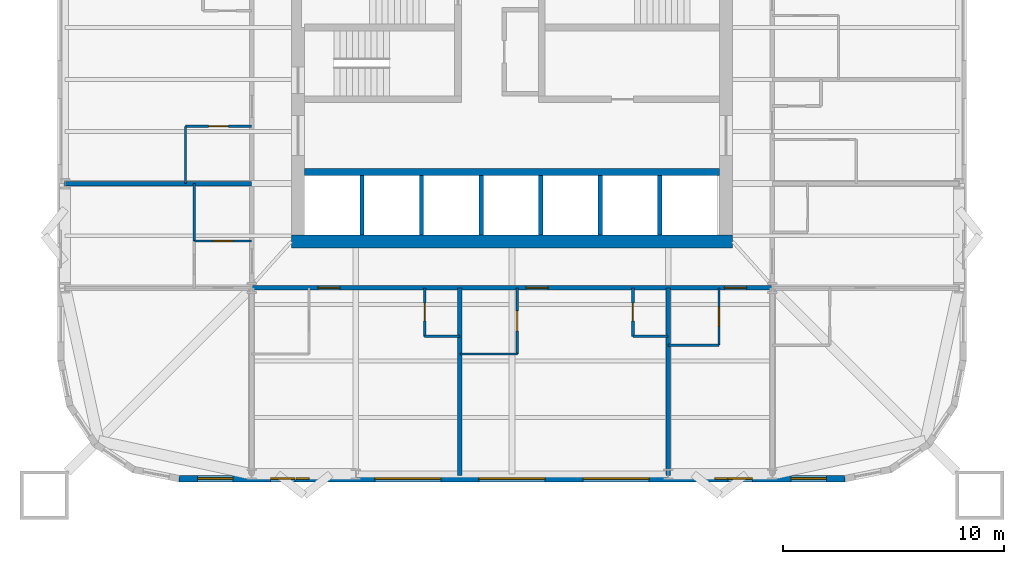
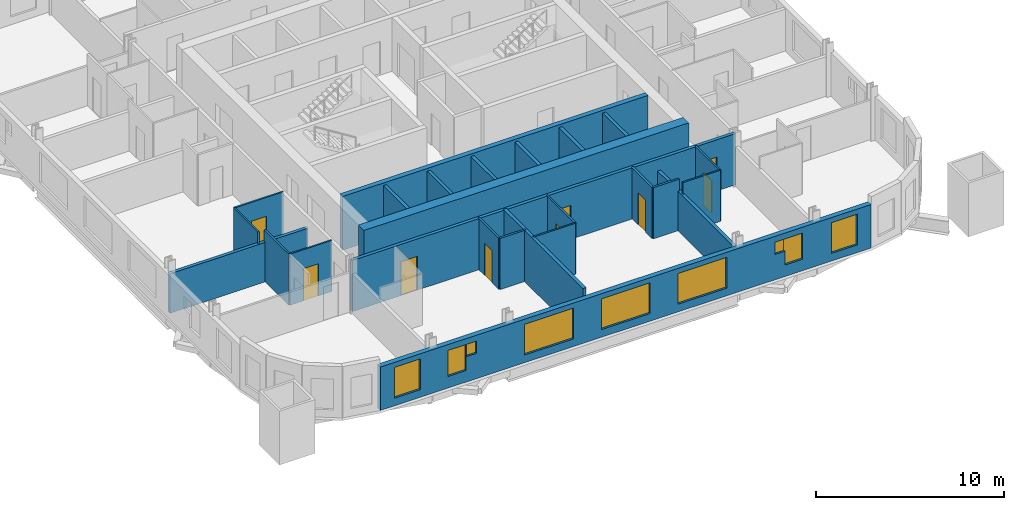
# One storey, part 3 of 9: 25 walls, 9 doors, 9 windows, 18 openings.
"""IFC4 building model written with IfcOpenShell, lengths in metres."""

from ifc_helpers import new_model, si_unit, direction, frame, frame_2d, origin, place, context, subcontext, project, spatial, rectangle, extrude, material, layer, layer_set, type_object, element, fill, save


model = new_model("IFC4")

# Units and contexts
model_context = context("Model", 3, precision=1e-05, world=origin(), true_north=direction((0.0, 1.0)))
body_context = subcontext(model_context, "Body", "Model", "MODEL_VIEW")
ifc_project = project(units=[si_unit("LENGTHUNIT", "METRE"), si_unit("AREAUNIT", "SQUARE_METRE"), si_unit("VOLUMEUNIT", "CUBIC_METRE"), si_unit("PLANEANGLEUNIT", "RADIAN"), si_unit("MASSUNIT", "GRAM", prefix="KILO")], contexts=[model_context])

# Site, building, storey
site_placement = place(None, origin())
site = spatial("IfcSite", under=ifc_project, at=site_placement, CompositionType="ELEMENT")
building_placement = place(site_placement, origin())
building = spatial("IfcBuilding", under=site, at=building_placement, Name="Turquesa Mirador Hotel Tower", CompositionType="ELEMENT")
storey_placement = place(building_placement, frame((0.0, 0.0, 110.89990234375)))
storey = spatial("IfcBuildingStorey", under=building, at=storey_placement, Name="L29", CompositionType="ELEMENT", Elevation=110.89990234375)

# Walls
ifc_material_1 = material(Name="Gypsum board on steel studs", Category="steel")
ifc_layer_1 = layer(ifc_material_1, 0.10009765625)
ifc_layer_set_1 = layer_set([ifc_layer_1], Name="BATHROOM WALL 100")
wall_type_1 = type_object("IfcWallType", Name="BATHROOM WALL 100", PredefinedType="PARTITIONING", material=ifc_layer_set_1)
wall_1_placement = place(storey_placement, frame((62.080078125, 30.60009765625, 0.0), z_axis=(0.0, 0.0, 1.0), x_axis=(1.0, 0.0, 0.0)))
element("IfcWall", 1, at=wall_1_placement, inside=storey, type_object=wall_type_1, Name="Partition L29 007", PredefinedType="PARTITIONING", context=body_context, shape_type="SweptSolid", body=[
    extrude(rectangle(XDim=2.2998046875, YDim=0.10009765625, at=frame_2d((1.14990234375, 0.0))), origin(), (0.0, 0.0, 1.0), 3.330078125),
])
wall_2_placement = place(storey_placement, frame((52.639892578125, 30.199951171875, 0.0), z_axis=(0.0, 0.0, 1.0), x_axis=(1.0, 0.0, 0.0)))
element("IfcWall", 2, at=wall_2_placement, inside=storey, type_object=wall_type_1, Name="Partition L29 010", PredefinedType="PARTITIONING", context=body_context, shape_type="SweptSolid", body=[
    extrude(rectangle(XDim=2.60009765625, YDim=0.10009765625, at=frame_2d((1.300048828125, 0.0))), origin(), (0.0, 0.0, 1.0), 3.330078125),
])

# Wall, opening, door
wall_3_placement = place(storey_placement, frame((40.199951171875, 40.52001953125, 0.0), z_axis=(0.0, 0.0, 1.0), x_axis=(1.0, 0.0, 0.0)))
wall_3 = element("IfcWall", 3, at=wall_3_placement, inside=storey, type_object=wall_type_1, Name="Partition L29 013", PredefinedType="PARTITIONING", context=body_context, shape_type="SweptSolid", body=[
    extrude(rectangle(XDim=3.0, YDim=0.10009765625, at=frame_2d((1.5, 0.0))), origin(), (0.0, 0.0, 1.0), 3.330078125),
])
opening_1_placement = place(wall_3_placement, frame((1.050048828125, 0.0, 0.0)))
opening_1 = element("IfcOpeningElement", 4, at=opening_1_placement, cuts=wall_3, Name="Opening D02", PredefinedType="OPENING", context=body_context, shape_type="SweptSolid", body=[
    extrude(rectangle(XDim=0.89990234375, YDim=2.10009765625, at=frame_2d((0.449951171875, 1.050048828125))), frame((0.0, 0.06005859375, 0.0), z_axis=(0.0, -1.0, 0.0), x_axis=(1.0, 0.0, 0.0)), (0.0, 0.0, 1.0), 0.1201171875),
])
ifc_material_2 = material(Name="Timber veneered door", Category="wood")
door_type_1 = type_object("IfcDoorType", Name="DOOR 900X2100 EN-SUITE", OperationType="SINGLE_SWING_RIGHT", PredefinedType="DOOR", material=ifc_material_2)
door_1_placement = place(opening_1_placement, origin())
door_1 = element("IfcDoor", 5, at=door_1_placement, inside=storey, type_object=door_type_1, Name="Door 2911B", OperationType="SINGLE_SWING_RIGHT", OverallHeight=2.10009765625, OverallWidth=0.89990234375, PredefinedType="DOOR", context=body_context, shape_type="SweptSolid", body=[
    extrude(rectangle(XDim=0.89990234375, YDim=2.10009765625, at=frame_2d((0.449951171875, 1.050048828125))), frame((0.0, 0.02490234375, 0.0), z_axis=(0.0, -1.0, 0.0), x_axis=(1.0, 0.0, 0.0)), (0.0, 0.0, 1.0), 0.050048828125),
])
fill(opening_1, door_1)

wall_4_placement = place(storey_placement, frame((40.60009765625, 35.320068359375, 0.0), z_axis=(0.0, 0.0, 1.0), x_axis=(1.0, 0.0, 0.0)))
wall_4 = element("IfcWall", 6, at=wall_4_placement, inside=storey, type_object=wall_type_1, Name="Partition L29 018", PredefinedType="PARTITIONING", context=body_context, shape_type="SweptSolid", body=[
    extrude(rectangle(XDim=2.599853515625, YDim=0.10009765625, at=frame_2d((1.2998046875, 0.0))), origin(), (0.0, 0.0, 1.0), 3.330078125),
])
opening_2_placement = place(wall_4_placement, frame((0.85009765625, 0.0, 0.0)))
opening_2 = element("IfcOpeningElement", 7, at=opening_2_placement, cuts=wall_4, Name="Opening D02", PredefinedType="OPENING", context=body_context, shape_type="SweptSolid", body=[
    extrude(rectangle(XDim=0.89990234375, YDim=2.10009765625, at=frame_2d((0.449951171875, 1.050048828125))), frame((0.0, 0.06005859375, 0.0), z_axis=(0.0, -1.0, 0.0), x_axis=(1.0, 0.0, 0.0)), (0.0, 0.0, 1.0), 0.1201171875),
])
door_2_placement = place(opening_2_placement, origin())
door_2 = element("IfcDoor", 8, at=door_2_placement, inside=storey, type_object=door_type_1, Name="Door 2915B", OperationType="SINGLE_SWING_RIGHT", OverallHeight=2.10009765625, OverallWidth=0.89990234375, PredefinedType="DOOR", context=body_context, shape_type="SweptSolid", body=[
    extrude(rectangle(XDim=0.89990234375, YDim=2.10009765625, at=frame_2d((0.449951171875, 1.050048828125))), frame((0.0, 0.02490234375, 0.0), z_axis=(0.0, -1.0, 0.0), x_axis=(1.0, 0.0, 0.0)), (0.0, 0.0, 1.0), 0.050048828125),
])
fill(opening_2, door_2)

# Walls
wall_5_placement = place(storey_placement, frame((40.60009765625, 35.320068359375, 0.0), z_axis=(0.0, 0.0, 1.0), x_axis=(0.0, 1.0, 0.0)))
element("IfcWall", 9, at=wall_5_placement, inside=storey, type_object=wall_type_1, Name="Partition L29 046", PredefinedType="PARTITIONING", context=body_context, shape_type="SweptSolid", body=[
    extrude(rectangle(XDim=2.599853515625, YDim=0.10009765625, at=frame_2d((1.2998046875, 0.0))), origin(), (0.0, 0.0, 1.0), 3.330078125),
])
wall_6_placement = place(storey_placement, frame((40.199951171875, 37.919921875, 0.0), z_axis=(0.0, 0.0, 1.0), x_axis=(0.0, 1.0, 0.0)))
element("IfcWall", 10, at=wall_6_placement, inside=storey, type_object=wall_type_1, Name="Partition L29 051", PredefinedType="PARTITIONING", context=body_context, shape_type="SweptSolid", body=[
    extrude(rectangle(XDim=2.60009765625, YDim=0.10009765625, at=frame_2d((1.300048828125, 0.0))), origin(), (0.0, 0.0, 1.0), 3.330078125),
])

# Wall, opening, door
wall_7_placement = place(storey_placement, frame((55.239990234375, 30.199951171875, 0.0), z_axis=(0.0, 0.0, 1.0), x_axis=(0.0, 1.0, 0.0)))
wall_7 = element("IfcWall", 11, at=wall_7_placement, inside=storey, type_object=wall_type_1, Name="Partition L29 058", PredefinedType="PARTITIONING", context=body_context, shape_type="SweptSolid", body=[
    extrude(rectangle(XDim=3.0, YDim=0.10009765625, at=frame_2d((1.5, 0.0))), origin(), (0.0, 0.0, 1.0), 3.330078125),
])
opening_3_placement = place(wall_7_placement, frame((1.050048828125, 0.0, 0.0)))
opening_3 = element("IfcOpeningElement", 12, at=opening_3_placement, cuts=wall_7, Name="Opening D02", PredefinedType="OPENING", context=body_context, shape_type="SweptSolid", body=[
    extrude(rectangle(XDim=0.89990234375, YDim=2.10009765625, at=frame_2d((0.449951171875, 1.050048828125))), frame((0.0, 0.06005859375, 0.0), z_axis=(0.0, -1.0, 0.0), x_axis=(1.0, 0.0, 0.0)), (0.0, 0.0, 1.0), 0.1201171875),
])
door_3_placement = place(opening_3_placement, origin())
door_3 = element("IfcDoor", 13, at=door_3_placement, inside=storey, type_object=door_type_1, Name="Door 2906B", OperationType="SINGLE_SWING_RIGHT", OverallHeight=2.10009765625, OverallWidth=0.89990234375, PredefinedType="DOOR", context=body_context, shape_type="SweptSolid", body=[
    extrude(rectangle(XDim=0.89990234375, YDim=2.10009765625, at=frame_2d((0.449951171875, 1.050048828125))), frame((0.0, 0.02490234375, 0.0), z_axis=(0.0, -1.0, 0.0), x_axis=(1.0, 0.0, 0.0)), (0.0, 0.0, 1.0), 0.050048828125),
])
fill(opening_3, door_3)

wall_8_placement = place(storey_placement, frame((64.3798828125, 30.60009765625, 0.0), z_axis=(0.0, 0.0, 1.0), x_axis=(0.0, 1.0, 0.0)))
wall_8 = element("IfcWall", 14, at=wall_8_placement, inside=storey, type_object=wall_type_1, Name="Partition L29 078", PredefinedType="PARTITIONING", context=body_context, shape_type="SweptSolid", body=[
    extrude(rectangle(XDim=2.599853515625, YDim=0.10009765625, at=frame_2d((1.2998046875, 0.0))), origin(), (0.0, 0.0, 1.0), 3.330078125),
])
opening_4_placement = place(wall_8_placement, frame((0.85009765625, 0.0, 0.0)))
opening_4 = element("IfcOpeningElement", 15, at=opening_4_placement, cuts=wall_8, Name="Opening D02", PredefinedType="OPENING", context=body_context, shape_type="SweptSolid", body=[
    extrude(rectangle(XDim=0.89990234375, YDim=2.10009765625, at=frame_2d((0.449951171875, 1.050048828125))), frame((0.0, 0.06005859375, 0.0), z_axis=(0.0, -1.0, 0.0), x_axis=(1.0, 0.0, 0.0)), (0.0, 0.0, 1.0), 0.1201171875),
])
door_4_placement = place(opening_4_placement, origin())
door_4 = element("IfcDoor", 16, at=door_4_placement, inside=storey, type_object=door_type_1, Name="Door 2907B", OperationType="SINGLE_SWING_RIGHT", OverallHeight=2.10009765625, OverallWidth=0.89990234375, PredefinedType="DOOR", context=body_context, shape_type="SweptSolid", body=[
    extrude(rectangle(XDim=0.89990234375, YDim=2.10009765625, at=frame_2d((0.449951171875, 1.050048828125))), frame((0.0, 0.02490234375, 0.0), z_axis=(0.0, -1.0, 0.0), x_axis=(1.0, 0.0, 0.0)), (0.0, 0.0, 1.0), 0.050048828125),
])
fill(opening_4, door_4)

# Walls
ifc_material_3 = material(Name="Concrete C50/60", Category="concrete")
ifc_layer_2 = layer(ifc_material_3, 0.300048828125)
ifc_layer_set_2 = layer_set([ifc_layer_2], Name="CORE INNER WALL 300")
wall_type_2 = type_object("IfcWallType", Name="CORE INNER WALL 300", PredefinedType="SHEAR", material=ifc_layer_set_2)
wall_9_placement = place(storey_placement, frame((45.60009765625, 38.449951171875, 0.0), z_axis=(0.0, 0.0, 1.0), x_axis=(1.0, 0.0, 0.0)))
element("IfcWall", 17, at=wall_9_placement, inside=storey, type_object=wall_type_2, Name="Core wall SL", PredefinedType="SHEAR", context=body_context, shape_type="SweptSolid", body=[
    extrude(rectangle(XDim=18.7998046875, YDim=0.300048828125, at=frame_2d((9.39990234375, 0.0))), origin(), (0.0, 0.0, 1.0), 3.5),
])
ifc_material_4 = material(Name="Concrete C50/60", Category="concrete")
ifc_layer_3 = layer(ifc_material_4, 0.60009765625)
ifc_layer_set_3 = layer_set([ifc_layer_3], Name="CORE WALL 600")
wall_type_3 = type_object("IfcWallType", Name="CORE WALL 600", PredefinedType="SHEAR", material=ifc_layer_set_3)
wall_10_placement = place(storey_placement, frame((45.0, 35.300048828125, 0.0), z_axis=(0.0, 0.0, 1.0), x_axis=(1.0, 0.0, 0.0)))
element("IfcWall", 18, at=wall_10_placement, inside=storey, type_object=wall_type_3, Name="Core wall S", PredefinedType="SHEAR", context=body_context, shape_type="SweptSolid", body=[
    extrude(rectangle(XDim=20.0, YDim=0.60009765625, at=frame_2d((10.0, 0.0))), origin(), (0.0, 0.0, 1.0), 3.5),
])

# Wall, openings, doors
ifc_material_5 = material(Name="Fire-rated gypsum board on steel studs", Category="steel")
ifc_layer_4 = layer(ifc_material_5, 0.199951171875)
ifc_layer_set_4 = layer_set([ifc_layer_4], Name="CORRIDOR WALL 200")
wall_type_4 = type_object("IfcWallType", Name="CORRIDOR WALL 200", PredefinedType="PARTITIONING", material=ifc_layer_set_4)
wall_11_placement = place(storey_placement, frame((43.199951171875, 33.199951171875, 0.0), z_axis=(0.0, 0.0, 1.0), x_axis=(1.0, 0.0, 0.0)))
wall_11 = element("IfcWall", 19, at=wall_11_placement, inside=storey, type_object=wall_type_4, Name="Partition L29 002", PredefinedType="PARTITIONING", context=body_context, shape_type="SweptSolid", body=[
    extrude(rectangle(XDim=23.60009765625, YDim=0.199951171875, at=frame_2d((11.800048828125, 0.0))), origin(), (0.0, 0.0, 1.0), 3.330078125),
])
opening_5_placement = place(wall_11_placement, frame((3.0, 0.0, 0.0)))
opening_5 = element("IfcOpeningElement", 20, at=opening_5_placement, cuts=wall_11, Name="Opening D01", PredefinedType="OPENING", context=body_context, shape_type="SweptSolid", body=[
    extrude(rectangle(XDim=1.0, YDim=2.199951171875, at=frame_2d((0.5, 1.10009765625))), frame((0.0, 0.10986328125, 0.0), z_axis=(0.0, -1.0, 0.0), x_axis=(1.0, 0.0, 0.0)), (0.0, 0.0, 1.0), 0.219970703125),
])
opening_6_placement = place(wall_11_placement, frame((12.43994140625, 0.0, 0.0)))
opening_6 = element("IfcOpeningElement", 21, at=opening_6_placement, cuts=wall_11, Name="Opening D01", PredefinedType="OPENING", context=body_context, shape_type="SweptSolid", body=[
    extrude(rectangle(XDim=1.0, YDim=2.199951171875, at=frame_2d((0.5, 1.10009765625))), frame((0.0, 0.10986328125, 0.0), z_axis=(0.0, -1.0, 0.0), x_axis=(1.0, 0.0, 0.0)), (0.0, 0.0, 1.0), 0.219970703125),
])
opening_7_placement = place(wall_11_placement, frame((21.429931640625, 0.0, 0.0)))
opening_7 = element("IfcOpeningElement", 22, at=opening_7_placement, cuts=wall_11, Name="Opening D01", PredefinedType="OPENING", context=body_context, shape_type="SweptSolid", body=[
    extrude(rectangle(XDim=1.0, YDim=2.199951171875, at=frame_2d((0.5, 1.10009765625))), frame((0.0, 0.10986328125, 0.0), z_axis=(0.0, -1.0, 0.0), x_axis=(1.0, 0.0, 0.0)), (0.0, 0.0, 1.0), 0.219970703125),
])
ifc_material_6 = material(Name="Timber veneered fire door", Category="wood")
door_type_2 = type_object("IfcDoorType", Name="DOOR 1000X2200 GUEST ENTRY", OperationType="SINGLE_SWING_LEFT", PredefinedType="DOOR", material=ifc_material_6)
door_5_placement = place(opening_5_placement, origin())
door_5 = element("IfcDoor", 23, at=door_5_placement, inside=storey, type_object=door_type_2, Name="Door 2905", OperationType="SINGLE_SWING_LEFT", OverallHeight=2.199951171875, OverallWidth=1.0, PredefinedType="DOOR", context=body_context, shape_type="SweptSolid", body=[
    extrude(rectangle(XDim=1.0, YDim=2.199951171875, at=frame_2d((0.5, 1.10009765625))), frame((0.0, 0.02490234375, 0.0), z_axis=(0.0, -1.0, 0.0), x_axis=(1.0, 0.0, 0.0)), (0.0, 0.0, 1.0), 0.050048828125),
])
fill(opening_5, door_5)
door_6_placement = place(opening_6_placement, origin())
door_6 = element("IfcDoor", 24, at=door_6_placement, inside=storey, type_object=door_type_2, Name="Door 2906", OperationType="SINGLE_SWING_LEFT", OverallHeight=2.199951171875, OverallWidth=1.0, PredefinedType="DOOR", context=body_context, shape_type="SweptSolid", body=[
    extrude(rectangle(XDim=1.0, YDim=2.199951171875, at=frame_2d((0.5, 1.10009765625))), frame((0.0, 0.02490234375, 0.0), z_axis=(0.0, -1.0, 0.0), x_axis=(1.0, 0.0, 0.0)), (0.0, 0.0, 1.0), 0.050048828125),
])
fill(opening_6, door_6)
door_7_placement = place(opening_7_placement, origin())
door_7 = element("IfcDoor", 25, at=door_7_placement, inside=storey, type_object=door_type_2, Name="Door 2907", OperationType="SINGLE_SWING_LEFT", OverallHeight=2.199951171875, OverallWidth=1.0, PredefinedType="DOOR", context=body_context, shape_type="SweptSolid", body=[
    extrude(rectangle(XDim=1.0, YDim=2.199951171875, at=frame_2d((0.5, 1.10009765625))), frame((0.0, 0.02490234375, 0.0), z_axis=(0.0, -1.0, 0.0), x_axis=(1.0, 0.0, 0.0)), (0.0, 0.0, 1.0), 0.050048828125),
])
fill(opening_7, door_7)

# Wall, openings, windows
ifc_material_7 = material(Name="Limestone cladding on concrete block", Category="masonry")
ifc_layer_5 = layer(ifc_material_7, 0.300048828125)
ifc_layer_set_5 = layer_set([ifc_layer_5], Name="FACADE WALL 300 STONE SCREEN")
wall_type_5 = type_object("IfcWallType", Name="FACADE WALL 300 STONE SCREEN", PredefinedType="SOLIDWALL", material=ifc_layer_set_5)
wall_12_placement = place(storey_placement, frame((39.89990234375, 24.550048828125, 0.0), z_axis=(0.0, 0.0, 1.0), x_axis=(1.0, 0.0, 0.0)))
wall_12 = element("IfcWall", 26, at=wall_12_placement, inside=storey, type_object=wall_type_5, Name="Facade wall L29 19", PredefinedType="SOLIDWALL", context=body_context, shape_type="SweptSolid", body=[
    extrude(rectangle(XDim=30.2001953125, YDim=0.300048828125, at=frame_2d((15.10009765625, 0.0))), origin(), (0.0, 0.0, 1.0), 2.830078125),
])
opening_8_placement = place(wall_12_placement, frame((0.85009765625, 0.0, 0.5)))
opening_8 = element("IfcOpeningElement", 27, at=opening_8_placement, cuts=wall_12, Name="Opening WN3", PredefinedType="OPENING", context=body_context, shape_type="SweptSolid", body=[
    extrude(rectangle(XDim=1.60009765625, YDim=2.0, at=frame_2d((0.800048828125, 1.0))), frame((0.0, 0.159912109375, 0.0), z_axis=(0.0, -1.0, 0.0), x_axis=(1.0, 0.0, 0.0)), (0.0, 0.0, 1.0), 0.320068359375),
])
opening_9_placement = place(wall_12_placement, frame((4.159912109375, 0.0, 0.75)))
opening_9 = element("IfcOpeningElement", 28, at=opening_9_placement, cuts=wall_12, Name="Opening WN26", PredefinedType="OPENING", context=body_context, shape_type="SweptSolid", body=[
    extrude(rectangle(XDim=1.10009765625, YDim=1.699951171875, at=frame_2d((0.550048828125, 0.85009765625))), frame((0.0, 0.159912109375, 0.0), z_axis=(0.0, -1.0, 0.0), x_axis=(1.0, 0.0, 0.0)), (0.0, 0.0, 1.0), 0.320068359375),
])
opening_10_placement = place(wall_12_placement, frame((8.8798828125, 0.0, 0.5)))
opening_10 = element("IfcOpeningElement", 29, at=opening_10_placement, cuts=wall_12, Name="Opening WN1", PredefinedType="OPENING", context=body_context, shape_type="SweptSolid", body=[
    extrude(rectangle(XDim=3.0, YDim=2.0, at=frame_2d((1.5, 1.0))), frame((0.0, 0.159912109375, 0.0), z_axis=(0.0, -1.0, 0.0), x_axis=(1.0, 0.0, 0.0)), (0.0, 0.0, 1.0), 0.320068359375),
])
opening_11_placement = place(wall_12_placement, frame((13.60009765625, 0.0, 0.5)))
opening_11 = element("IfcOpeningElement", 30, at=opening_11_placement, cuts=wall_12, Name="Opening WN1", PredefinedType="OPENING", context=body_context, shape_type="SweptSolid", body=[
    extrude(rectangle(XDim=3.0, YDim=2.0, at=frame_2d((1.5, 1.0))), frame((0.0, 0.159912109375, 0.0), z_axis=(0.0, -1.0, 0.0), x_axis=(1.0, 0.0, 0.0)), (0.0, 0.0, 1.0), 0.320068359375),
])
opening_12_placement = place(wall_12_placement, frame((18.320068359375, 0.0, 0.5)))
opening_12 = element("IfcOpeningElement", 31, at=opening_12_placement, cuts=wall_12, Name="Opening WN1", PredefinedType="OPENING", context=body_context, shape_type="SweptSolid", body=[
    extrude(rectangle(XDim=3.0, YDim=2.0, at=frame_2d((1.5, 1.0))), frame((0.0, 0.159912109375, 0.0), z_axis=(0.0, -1.0, 0.0), x_axis=(1.0, 0.0, 0.0)), (0.0, 0.0, 1.0), 0.320068359375),
])
opening_13_placement = place(wall_12_placement, frame((24.889892578125, 0.0, 0.75)))
opening_13 = element("IfcOpeningElement", 32, at=opening_13_placement, cuts=wall_12, Name="Opening WN26", PredefinedType="OPENING", context=body_context, shape_type="SweptSolid", body=[
    extrude(rectangle(XDim=1.10009765625, YDim=1.699951171875, at=frame_2d((0.550048828125, 0.85009765625))), frame((0.0, 0.159912109375, 0.0), z_axis=(0.0, -1.0, 0.0), x_axis=(1.0, 0.0, 0.0)), (0.0, 0.0, 1.0), 0.320068359375),
])
opening_14_placement = place(wall_12_placement, frame((27.75, 0.0, 0.5)))
opening_14 = element("IfcOpeningElement", 33, at=opening_14_placement, cuts=wall_12, Name="Opening WN3", PredefinedType="OPENING", context=body_context, shape_type="SweptSolid", body=[
    extrude(rectangle(XDim=1.60009765625, YDim=2.0, at=frame_2d((0.800048828125, 1.0))), frame((0.0, 0.159912109375, 0.0), z_axis=(0.0, -1.0, 0.0), x_axis=(1.0, 0.0, 0.0)), (0.0, 0.0, 1.0), 0.320068359375),
])
opening_15_placement = place(wall_12_placement, frame((5.31005859375, 0.0, 1.64990234375)))
opening_15 = element("IfcOpeningElement", 34, at=opening_15_placement, cuts=wall_12, Name="Opening WN28", PredefinedType="OPENING", context=body_context, shape_type="SweptSolid", body=[
    extrude(rectangle(XDim=0.60009765625, YDim=0.800048828125, at=frame_2d((0.300048828125, 0.39990234375))), frame((0.0, 0.159912109375, 0.0), z_axis=(0.0, -1.0, 0.0), x_axis=(1.0, 0.0, 0.0)), (0.0, 0.0, 1.0), 0.320068359375),
])
opening_16_placement = place(wall_12_placement, frame((24.2900390625, 0.0, 1.64990234375)))
opening_16 = element("IfcOpeningElement", 35, at=opening_16_placement, cuts=wall_12, Name="Opening WN28", PredefinedType="OPENING", context=body_context, shape_type="SweptSolid", body=[
    extrude(rectangle(XDim=0.60009765625, YDim=0.800048828125, at=frame_2d((0.300048828125, 0.39990234375))), frame((0.0, 0.159912109375, 0.0), z_axis=(0.0, -1.0, 0.0), x_axis=(1.0, 0.0, 0.0)), (0.0, 0.0, 1.0), 0.320068359375),
])
ifc_material_8 = material(Name="Ceramic-fritted laminated glass", Category="glass")
window_type_1 = type_object("IfcWindowType", Name="FRITTED WINDOW 1100X1700", PartitioningType="DOUBLE_PANEL_HORIZONTAL", PredefinedType="WINDOW", material=ifc_material_8)
window_1_placement = place(opening_9_placement, origin())
window_1 = element("IfcWindow", 36, at=window_1_placement, inside=storey, type_object=window_type_1, Name="Window L29", OverallHeight=1.699951171875, OverallWidth=1.10009765625, PartitioningType="SINGLE_PANEL", PredefinedType="WINDOW", context=body_context, shape_type="SweptSolid", body=[
    extrude(rectangle(XDim=1.10009765625, YDim=1.699951171875, at=frame_2d((0.550048828125, 0.85009765625))), frame((0.0, 0.030029296875, 0.0), z_axis=(0.0, -1.0, 0.0), x_axis=(1.0, 0.0, 0.0)), (0.0, 0.0, 1.0), 0.06005859375),
])
fill(opening_9, window_1)
window_2_placement = place(opening_13_placement, origin())
window_2 = element("IfcWindow", 37, at=window_2_placement, inside=storey, type_object=window_type_1, Name="Window L29", OverallHeight=1.699951171875, OverallWidth=1.10009765625, PartitioningType="SINGLE_PANEL", PredefinedType="WINDOW", context=body_context, shape_type="SweptSolid", body=[
    extrude(rectangle(XDim=1.10009765625, YDim=1.699951171875, at=frame_2d((0.550048828125, 0.85009765625))), frame((0.0, 0.030029296875, 0.0), z_axis=(0.0, -1.0, 0.0), x_axis=(1.0, 0.0, 0.0)), (0.0, 0.0, 1.0), 0.06005859375),
])
fill(opening_13, window_2)
ifc_material_9 = material(Name="Ceramic-fritted laminated glass", Category="glass")
window_type_2 = type_object("IfcWindowType", Name="FRITTED WINDOW 1600X2000", PartitioningType="DOUBLE_PANEL_HORIZONTAL", PredefinedType="WINDOW", material=ifc_material_9)
window_3_placement = place(opening_8_placement, origin())
window_3 = element("IfcWindow", 38, at=window_3_placement, inside=storey, type_object=window_type_2, Name="Window L29", OverallHeight=2.0, OverallWidth=1.60009765625, PartitioningType="SINGLE_PANEL", PredefinedType="WINDOW", context=body_context, shape_type="SweptSolid", body=[
    extrude(rectangle(XDim=1.60009765625, YDim=2.0, at=frame_2d((0.800048828125, 1.0))), frame((0.0, 0.030029296875, 0.0), z_axis=(0.0, -1.0, 0.0), x_axis=(1.0, 0.0, 0.0)), (0.0, 0.0, 1.0), 0.06005859375),
])
fill(opening_8, window_3)
window_4_placement = place(opening_14_placement, origin())
window_4 = element("IfcWindow", 39, at=window_4_placement, inside=storey, type_object=window_type_2, Name="Window L29", OverallHeight=2.0, OverallWidth=1.60009765625, PartitioningType="SINGLE_PANEL", PredefinedType="WINDOW", context=body_context, shape_type="SweptSolid", body=[
    extrude(rectangle(XDim=1.60009765625, YDim=2.0, at=frame_2d((0.800048828125, 1.0))), frame((0.0, 0.030029296875, 0.0), z_axis=(0.0, -1.0, 0.0), x_axis=(1.0, 0.0, 0.0)), (0.0, 0.0, 1.0), 0.06005859375),
])
fill(opening_14, window_4)
ifc_material_10 = material(Name="Ceramic-fritted laminated glass", Category="glass")
window_type_3 = type_object("IfcWindowType", Name="FRITTED WINDOW 3000X2000", PartitioningType="DOUBLE_PANEL_HORIZONTAL", PredefinedType="WINDOW", material=ifc_material_10)
window_5_placement = place(opening_10_placement, origin())
window_5 = element("IfcWindow", 40, at=window_5_placement, inside=storey, type_object=window_type_3, Name="Window L29", OverallHeight=2.0, OverallWidth=3.0, PartitioningType="SINGLE_PANEL", PredefinedType="WINDOW", context=body_context, shape_type="SweptSolid", body=[
    extrude(rectangle(XDim=3.0, YDim=2.0, at=frame_2d((1.5, 1.0))), frame((0.0, 0.030029296875, 0.0), z_axis=(0.0, -1.0, 0.0), x_axis=(1.0, 0.0, 0.0)), (0.0, 0.0, 1.0), 0.06005859375),
])
fill(opening_10, window_5)
window_6_placement = place(opening_11_placement, origin())
window_6 = element("IfcWindow", 41, at=window_6_placement, inside=storey, type_object=window_type_3, Name="Window L29", OverallHeight=2.0, OverallWidth=3.0, PartitioningType="SINGLE_PANEL", PredefinedType="WINDOW", context=body_context, shape_type="SweptSolid", body=[
    extrude(rectangle(XDim=3.0, YDim=2.0, at=frame_2d((1.5, 1.0))), frame((0.0, 0.030029296875, 0.0), z_axis=(0.0, -1.0, 0.0), x_axis=(1.0, 0.0, 0.0)), (0.0, 0.0, 1.0), 0.06005859375),
])
fill(opening_11, window_6)
window_7_placement = place(opening_12_placement, origin())
window_7 = element("IfcWindow", 42, at=window_7_placement, inside=storey, type_object=window_type_3, Name="Window L29", OverallHeight=2.0, OverallWidth=3.0, PartitioningType="SINGLE_PANEL", PredefinedType="WINDOW", context=body_context, shape_type="SweptSolid", body=[
    extrude(rectangle(XDim=3.0, YDim=2.0, at=frame_2d((1.5, 1.0))), frame((0.0, 0.030029296875, 0.0), z_axis=(0.0, -1.0, 0.0), x_axis=(1.0, 0.0, 0.0)), (0.0, 0.0, 1.0), 0.06005859375),
])
fill(opening_12, window_7)
ifc_material_11 = material(Name="Ceramic-fritted laminated glass", Category="glass")
window_type_4 = type_object("IfcWindowType", Name="FRITTED WINDOW 600X800", PartitioningType="DOUBLE_PANEL_HORIZONTAL", PredefinedType="WINDOW", material=ifc_material_11)
window_8_placement = place(opening_15_placement, origin())
window_8 = element("IfcWindow", 43, at=window_8_placement, inside=storey, type_object=window_type_4, Name="Window L29", OverallHeight=0.800048828125, OverallWidth=0.60009765625, PartitioningType="SINGLE_PANEL", PredefinedType="WINDOW", context=body_context, shape_type="SweptSolid", body=[
    extrude(rectangle(XDim=0.60009765625, YDim=0.800048828125, at=frame_2d((0.300048828125, 0.39990234375))), frame((0.0, 0.030029296875, 0.0), z_axis=(0.0, -1.0, 0.0), x_axis=(1.0, 0.0, 0.0)), (0.0, 0.0, 1.0), 0.06005859375),
])
fill(opening_15, window_8)
window_9_placement = place(opening_16_placement, origin())
window_9 = element("IfcWindow", 44, at=window_9_placement, inside=storey, type_object=window_type_4, Name="Window L29", OverallHeight=0.800048828125, OverallWidth=0.60009765625, PartitioningType="SINGLE_PANEL", PredefinedType="WINDOW", context=body_context, shape_type="SweptSolid", body=[
    extrude(rectangle(XDim=0.60009765625, YDim=0.800048828125, at=frame_2d((0.300048828125, 0.39990234375))), frame((0.0, 0.030029296875, 0.0), z_axis=(0.0, -1.0, 0.0), x_axis=(1.0, 0.0, 0.0)), (0.0, 0.0, 1.0), 0.06005859375),
])
fill(opening_16, window_9)

# Walls
ifc_material_12 = material(Name="Fire-rated gypsum shaft wall on steel studs", Category="steel")
ifc_layer_6 = layer(ifc_material_12, 0.199951171875)
ifc_layer_set_6 = layer_set([ifc_layer_6], Name="LIFT SHAFT DIVIDER 200")
wall_type_6 = type_object("IfcWallType", Name="LIFT SHAFT DIVIDER 200", PredefinedType="PARTITIONING", material=ifc_layer_set_6)
for number, where, z_axis, x_axis, name in (
    (45, (48.199951171875, 35.60009765625, 0.0), (0.0, 0.0, 1.0), (0.0, 1.0, 0.0), "Lift shaft divider"),
    (46, (50.89990234375, 35.60009765625, 0.0), (0.0, 0.0, 1.0), (0.0, 1.0, 0.0), "Lift shaft divider"),
    (47, (53.60009765625, 35.60009765625, 0.0), (0.0, 0.0, 1.0), (0.0, 1.0, 0.0), "Lift shaft divider"),
    (48, (56.300048828125, 35.60009765625, 0.0), (0.0, 0.0, 1.0), (0.0, 1.0, 0.0), "Lift shaft divider"),
    (49, (59.0, 35.60009765625, 0.0), (0.0, 0.0, 1.0), (0.0, 1.0, 0.0), "Lift shaft divider"),
    (50, (61.699951171875, 35.60009765625, 0.0), (0.0, 0.0, 1.0), (0.0, 1.0, 0.0), "Lift shaft divider"),
):
    element("IfcWall", number, at=place(storey_placement, frame(where, z_axis=z_axis, x_axis=x_axis)), inside=storey, type_object=wall_type_6, Name=name, PredefinedType="PARTITIONING", context=body_context, shape_type="SweptSolid", body=[
        extrude(rectangle(XDim=2.699951171875, YDim=0.199951171875, at=frame_2d((1.35009765625, 0.0))), origin(), (0.0, 0.0, 1.0), 3.330078125),
    ])
ifc_material_13 = material(Name="Fire-rated gypsum board on steel studs", Category="steel")
ifc_layer_7 = layer(ifc_material_13, 0.199951171875)
ifc_layer_set_7 = layer_set([ifc_layer_7], Name="PARTY WALL 200")
wall_type_7 = type_object("IfcWallType", Name="PARTY WALL 200", PredefinedType="PARTITIONING", material=ifc_layer_set_7)
wall_13_placement = place(storey_placement, frame((34.699951171875, 37.919921875, 0.0), z_axis=(0.0, 0.0, 1.0), x_axis=(1.0, 0.0, 0.0)))
element("IfcWall", 51, at=wall_13_placement, inside=storey, type_object=wall_type_7, Name="Partition L29 015", PredefinedType="PARTITIONING", context=body_context, shape_type="SweptSolid", body=[
    extrude(rectangle(XDim=8.5, YDim=0.199951171875, at=frame_2d((4.25, 0.0))), origin(), (0.0, 0.0, 1.0), 2.5732421875),
])
wall_14_placement = place(storey_placement, frame((52.639892578125, 24.699951171875, 0.0), z_axis=(0.0, 0.0, 1.0), x_axis=(0.0, 1.0, 0.0)))
element("IfcWall", 52, at=wall_14_placement, inside=storey, type_object=wall_type_7, Name="Partition L29 052", PredefinedType="PARTITIONING", context=body_context, shape_type="SweptSolid", body=[
    extrude(rectangle(XDim=8.5, YDim=0.199951171875, at=frame_2d((4.25, 0.0))), origin(), (0.0, 0.0, 1.0), 3.330078125),
])
wall_15_placement = place(storey_placement, frame((62.080078125, 24.699951171875, 0.0), z_axis=(0.0, 0.0, 1.0), x_axis=(0.0, 1.0, 0.0)))
element("IfcWall", 53, at=wall_15_placement, inside=storey, type_object=wall_type_7, Name="Partition L29 075", PredefinedType="PARTITIONING", context=body_context, shape_type="SweptSolid", body=[
    extrude(rectangle(XDim=8.5, YDim=0.199951171875, at=frame_2d((4.25, 0.0))), origin(), (0.0, 0.0, 1.0), 2.5732421875),
])
ifc_material_14 = material(Name="Acoustic gypsum board on steel studs", Category="steel")
ifc_layer_8 = layer(ifc_material_14, 0.125)
ifc_layer_set_8 = layer_set([ifc_layer_8], Name="SUITE PARTITION 125")
wall_type_8 = type_object("IfcWallType", Name="SUITE PARTITION 125", PredefinedType="PARTITIONING", material=ifc_layer_set_8)
wall_16_placement = place(storey_placement, frame((51.0400390625, 31.0, 0.0), z_axis=(0.0, 0.0, 1.0), x_axis=(1.0, 0.0, 0.0)))
element("IfcWall", 54, at=wall_16_placement, inside=storey, type_object=wall_type_8, Name="Partition L29 005", PredefinedType="PARTITIONING", context=body_context, shape_type="SweptSolid", body=[
    extrude(rectangle(XDim=1.599853515625, YDim=0.125, at=frame_2d((0.7998046875, 0.0))), origin(), (0.0, 0.0, 1.0), 3.330078125),
])
wall_17_placement = place(storey_placement, frame((60.47998046875, 31.0, 0.0), z_axis=(0.0, 0.0, 1.0), x_axis=(1.0, 0.0, 0.0)))
element("IfcWall", 55, at=wall_17_placement, inside=storey, type_object=wall_type_8, Name="Partition L29 006", PredefinedType="PARTITIONING", context=body_context, shape_type="SweptSolid", body=[
    extrude(rectangle(XDim=1.60009765625, YDim=0.125, at=frame_2d((0.800048828125, 0.0))), origin(), (0.0, 0.0, 1.0), 3.330078125),
])

# Wall, opening, door
wall_18_placement = place(storey_placement, frame((51.0400390625, 31.0, 0.0), z_axis=(0.0, 0.0, 1.0), x_axis=(0.0, 1.0, 0.0)))
wall_18 = element("IfcWall", 56, at=wall_18_placement, inside=storey, type_object=wall_type_8, Name="Partition L29 053", PredefinedType="PARTITIONING", context=body_context, shape_type="SweptSolid", body=[
    extrude(rectangle(XDim=2.199951171875, YDim=0.125, at=frame_2d((1.10009765625, 0.0))), origin(), (0.0, 0.0, 1.0), 3.330078125),
])
opening_17_placement = place(wall_18_placement, frame((0.699951171875, 0.0, 0.0)))
opening_17 = element("IfcOpeningElement", 57, at=opening_17_placement, cuts=wall_18, Name="Opening D20", PredefinedType="OPENING", context=body_context, shape_type="SweptSolid", body=[
    extrude(rectangle(XDim=0.800048828125, YDim=2.10009765625, at=frame_2d((0.39990234375, 1.050048828125))), frame((0.0, 0.072509765625, 0.0), z_axis=(0.0, -1.0, 0.0), x_axis=(1.0, 0.0, 0.0)), (0.0, 0.0, 1.0), 0.14501953125),
])
ifc_material_15 = material(Name="Timber veneered sliding door", Category="wood")
door_type_3 = type_object("IfcDoorType", Name="DOOR 800X2100 WARDROBE", OperationType="SLIDING_TO_LEFT", PredefinedType="DOOR", material=ifc_material_15)
door_8_placement = place(opening_17_placement, origin())
door_8 = element("IfcDoor", 58, at=door_8_placement, inside=storey, type_object=door_type_3, Name="Door 2905W", OperationType="SLIDING_TO_LEFT", OverallHeight=2.10009765625, OverallWidth=0.800048828125, PredefinedType="DOOR", context=body_context, shape_type="SweptSolid", body=[
    extrude(rectangle(XDim=0.800048828125, YDim=2.10009765625, at=frame_2d((0.39990234375, 1.050048828125))), frame((0.0, 0.02490234375, 0.0), z_axis=(0.0, -1.0, 0.0), x_axis=(1.0, 0.0, 0.0)), (0.0, 0.0, 1.0), 0.050048828125),
])
fill(opening_17, door_8)

wall_19_placement = place(storey_placement, frame((60.47998046875, 31.0, 0.0), z_axis=(0.0, 0.0, 1.0), x_axis=(0.0, 1.0, 0.0)))
wall_19 = element("IfcWall", 59, at=wall_19_placement, inside=storey, type_object=wall_type_8, Name="Partition L29 074", PredefinedType="PARTITIONING", context=body_context, shape_type="SweptSolid", body=[
    extrude(rectangle(XDim=2.199951171875, YDim=0.125, at=frame_2d((1.10009765625, 0.0))), origin(), (0.0, 0.0, 1.0), 3.330078125),
])
opening_18_placement = place(wall_19_placement, frame((0.699951171875, 0.0, 0.0)))
opening_18 = element("IfcOpeningElement", 60, at=opening_18_placement, cuts=wall_19, Name="Opening D20", PredefinedType="OPENING", context=body_context, shape_type="SweptSolid", body=[
    extrude(rectangle(XDim=0.800048828125, YDim=2.10009765625, at=frame_2d((0.39990234375, 1.050048828125))), frame((0.0, 0.072509765625, 0.0), z_axis=(0.0, -1.0, 0.0), x_axis=(1.0, 0.0, 0.0)), (0.0, 0.0, 1.0), 0.14501953125),
])
door_9_placement = place(opening_18_placement, origin())
door_9 = element("IfcDoor", 61, at=door_9_placement, inside=storey, type_object=door_type_3, Name="Door 2906W", OperationType="SLIDING_TO_LEFT", OverallHeight=2.10009765625, OverallWidth=0.800048828125, PredefinedType="DOOR", context=body_context, shape_type="SweptSolid", body=[
    extrude(rectangle(XDim=0.800048828125, YDim=2.10009765625, at=frame_2d((0.39990234375, 1.050048828125))), frame((0.0, 0.02490234375, 0.0), z_axis=(0.0, -1.0, 0.0), x_axis=(1.0, 0.0, 0.0)), (0.0, 0.0, 1.0), 0.050048828125),
])
fill(opening_18, door_9)

save(model, "model.ifc")
